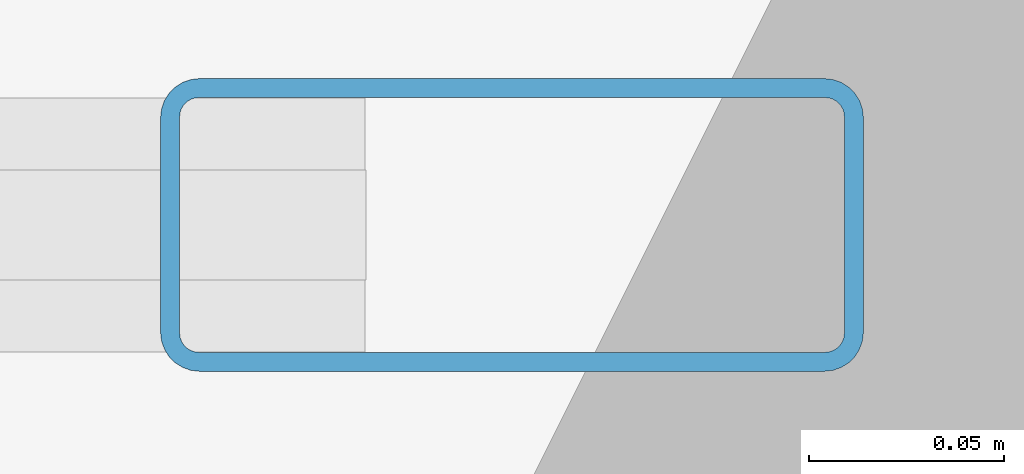
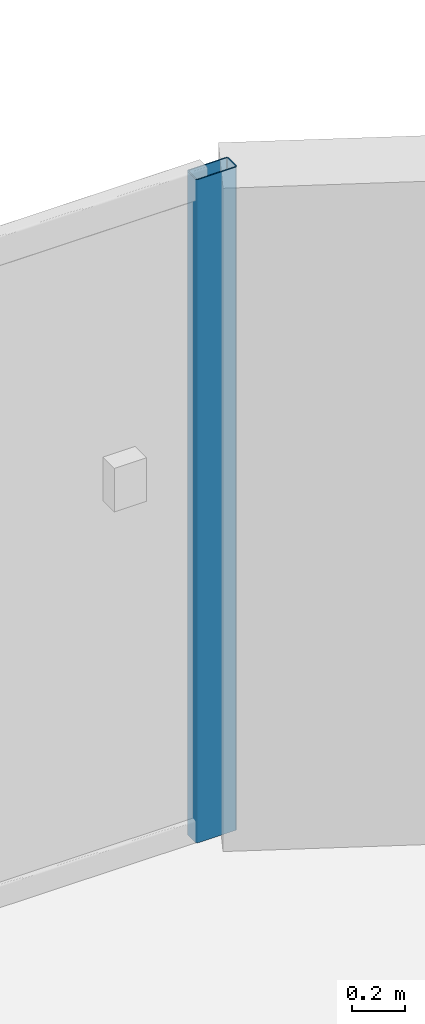
# One storey, part 8 of 20: 1 member, 1 element without a shape of its own.
"""IFC4 building model written with IfcOpenShell, lengths in metres."""

from ifc_helpers import new_model, si_unit, direction, frame, origin, origin_2d, place, context, subcontext, project, spatial, hollow_rectangle, extrude, material, layer, layer_set, material_profile, profile_set, type_object, element, aggregate, save


model = new_model("IFC4")

# Units and contexts
model_context = context("Model", 3, precision=1e-05, world=origin(), true_north=direction((0.0, 1.0)))
body_context = subcontext(model_context, "Body", "Model", "MODEL_VIEW")
ifc_project = project(units=[si_unit("LENGTHUNIT", "METRE"), si_unit("AREAUNIT", "SQUARE_METRE"), si_unit("VOLUMEUNIT", "CUBIC_METRE"), si_unit("PLANEANGLEUNIT", "RADIAN"), si_unit("MASSUNIT", "GRAM", prefix="KILO")], contexts=[model_context])

# Site, building, storey
site_placement = place(None, origin())
site = spatial("IfcSite", under=ifc_project, at=site_placement, CompositionType="ELEMENT")
building_placement = place(site_placement, origin())
building = spatial("IfcBuilding", under=site, at=building_placement, Name="Tarnavaz Court Tower", CompositionType="ELEMENT")
storey_placement = place(building_placement, frame((0.0, 0.0, 60.85009765625)))
storey = spatial("IfcBuildingStorey", under=building, at=storey_placement, Name="L16", CompositionType="ELEMENT", Elevation=60.85009765625)

# Curtain wall, member
ifc_material_1 = material(Name="Anodised Aluminium 6063-T6 and Solar Low-E Glazing", Category="aluminium")
ifc_layer = layer(ifc_material_1, 0.179931640625)
ifc_layer_set = layer_set([ifc_layer], Name="Anodised Aluminium 6063-T6 and Solar Low-E Glazing")
curtain_wall_type = type_object("IfcCurtainWallType", Name="CW-SYS-02", PredefinedType="NOTDEFINED", material=ifc_layer_set)
curtain_wall_placement = place(storey_placement, origin())
curtain_wall = element("IfcCurtainWall", 1, at=curtain_wall_placement, inside=storey, type_object=curtain_wall_type, Name="L16 Iwan Prow Curtain Wall 7", PredefinedType="NOTDEFINED")
ifc_material_2 = material(Name="Anodised Aluminium 6063-T6", Category="aluminium")
ifc_material_profile = material_profile(ifc_material_2, hollow_rectangle(XDim=0.074951171875, YDim=0.179931640625, WallThickness=0.0048828125, InnerFilletRadius=0.0048828125, OuterFilletRadius=0.010009765625, at=origin_2d()), Name="ALU RHS 180X75X5")
ifc_profile_set = profile_set([ifc_material_profile], Name="Anodised Aluminium 6063-T6")
member_type = type_object("IfcMemberType", Name="CW-MUL-180", PredefinedType="MULLION", material=ifc_profile_set)
member_placement = place(storey_placement, frame((4.3125, 25.050048828125, 0.0), z_axis=(0.0, 0.0, 1.0), x_axis=(0.0, 1.0, 0.0)))
member = element("IfcMember", 2, at=member_placement, type_object=member_type, Name="CW mullion 4", PredefinedType="MULLION", context=body_context, shape_type="SweptSolid", body=[
    extrude(hollow_rectangle(XDim=0.074951171875, YDim=0.179931640625, WallThickness=0.0048828125, InnerFilletRadius=0.0048828125, OuterFilletRadius=0.010009765625, at=origin_2d()), origin(), (0.0, 0.0, 1.0), 3.0498046875),
])
aggregate(curtain_wall, [member])

save(model, "model.ifc")
